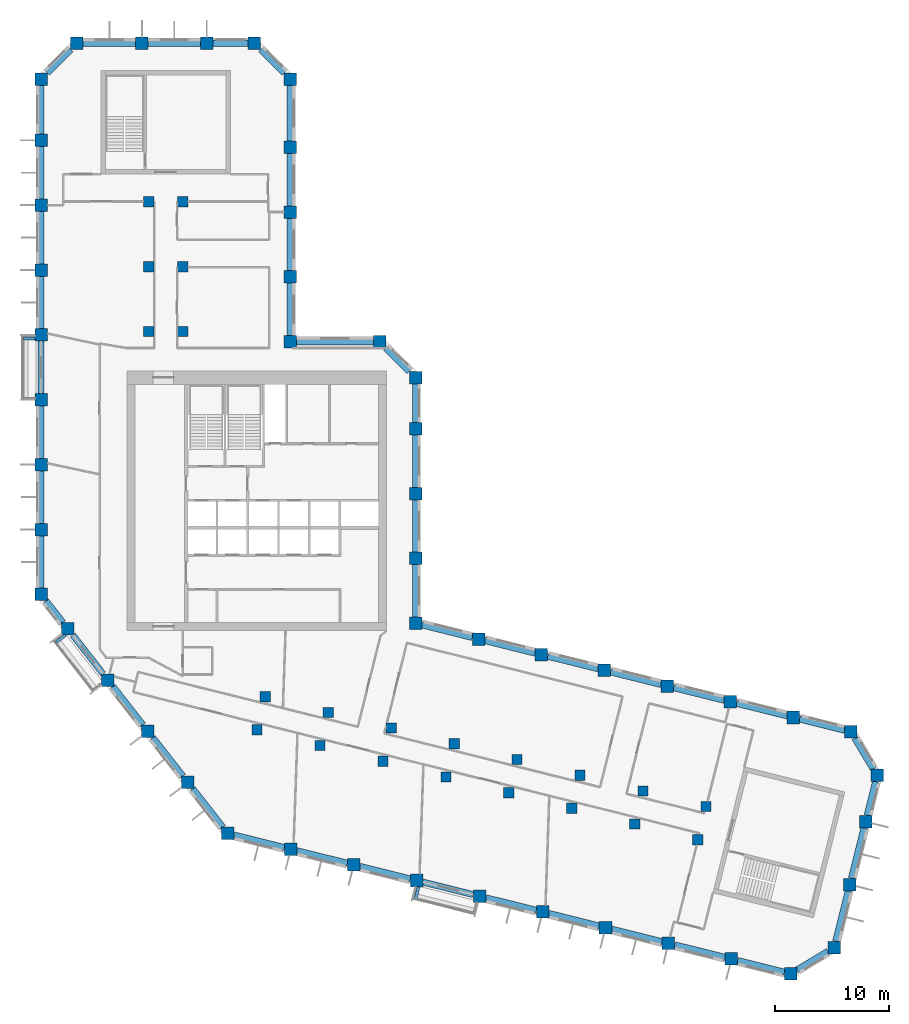
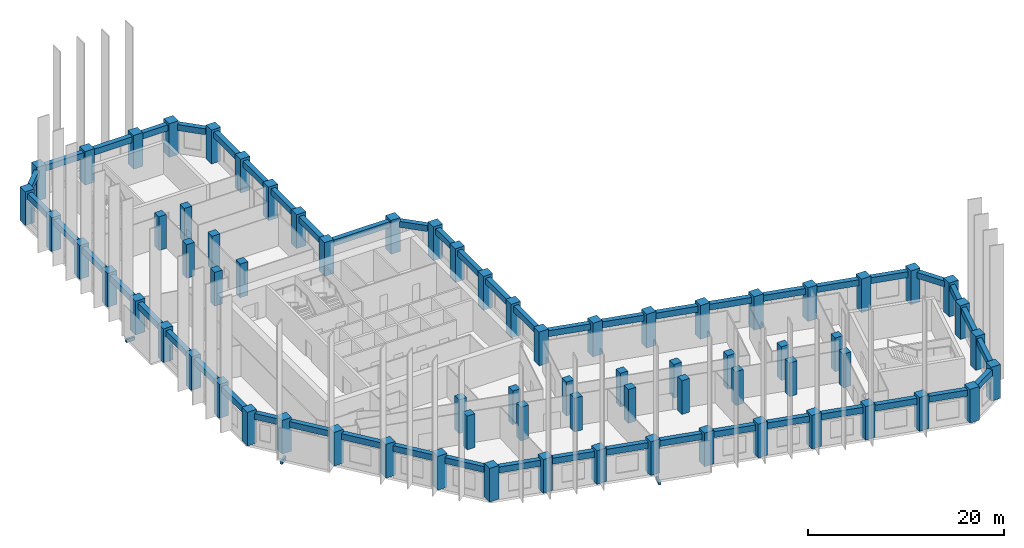
# One storey, part 1 of 10: 71 columns, 52 beams.
"""IFC4 building model written with IfcOpenShell, lengths in metres."""

from ifc_helpers import new_model, si_unit, direction, frame, origin, origin_2d, place, context, subcontext, project, spatial, rectangle, extrude, material, material_profile, profile_set, type_object, element, save


model = new_model("IFC4")

# Units and contexts
model_context = context("Model", 3, precision=1e-05, world=origin(), true_north=direction((0.0, 1.0)))
body_context = subcontext(model_context, "Body", "Model", "MODEL_VIEW")
ifc_project = project(units=[si_unit("LENGTHUNIT", "METRE"), si_unit("AREAUNIT", "SQUARE_METRE"), si_unit("VOLUMEUNIT", "CUBIC_METRE"), si_unit("PLANEANGLEUNIT", "RADIAN"), si_unit("MASSUNIT", "GRAM", prefix="KILO")], contexts=[model_context])

# Site, building, storey
site_placement = place(None, origin())
site = spatial("IfcSite", under=ifc_project, at=site_placement, CompositionType="ELEMENT")
building_placement = place(site_placement, origin())
building = spatial("IfcBuilding", under=site, at=building_placement, Name="Meshkara Civic Tower", CompositionType="ELEMENT")
storey_placement = place(building_placement, frame((0.0, 0.0, 259.199951171875)))
storey = spatial("IfcBuildingStorey", under=building, at=storey_placement, Name="L59", CompositionType="ELEMENT", Elevation=259.199951171875)

# Columns
ifc_material_1 = material(Name="Concrete C60", Category="concrete")
ifc_material_profile_1 = material_profile(ifc_material_1, rectangle(XDim=0.89990234375, YDim=0.89990234375, at=origin_2d()))
ifc_profile_set_1 = profile_set([ifc_material_profile_1], Name="Concrete C60")
column_type_1 = type_object("IfcColumnType", Name="Interior column RC 900x900 C60", PredefinedType="COLUMN", material=ifc_profile_set_1)
for number, where, z_axis, x_axis, name in (
    (1, (9.89990234375, 40.35009765625, 0.0), (0.0, 0.0, 1.0), (1.0, 0.0, 0.0), "Column SA1-04 L59"),
    (2, (9.89990234375, 46.050048828125, 0.0), (0.0, 0.0, 1.0), (1.0, 0.0, 0.0), "Column SA1-05 L59"),
    (3, (9.89990234375, 51.75, 0.0), (0.0, 0.0, 1.0), (1.0, 0.0, 0.0), "Column SA1-06 L59"),
    (4, (12.89990234375, 40.35009765625, 0.0), (0.0, 0.0, 1.0), (1.0, 0.0, 0.0), "Column SA2-04 L59"),
    (5, (12.89990234375, 46.050048828125, 0.0), (0.0, 0.0, 1.0), (1.0, 0.0, 0.0), "Column SA2-05 L59"),
    (6, (12.89990234375, 51.75, 0.0), (0.0, 0.0, 1.0), (1.0, 0.0, 0.0), "Column SA2-06 L59"),
    (7, (19.424072265625, 5.360107421875, 0.0), (0.0, 0.0, 1.0), (1.0, 0.0, 0.0), "Column SB1-00 L59"),
    (8, (24.9541015625, 3.98095703125, 0.0), (0.0, 0.0, 1.0), (1.0, 0.0, 0.0), "Column SB1-01 L59"),
    (9, (30.485107421875, 2.60205078125, 0.0), (0.0, 0.0, 1.0), (1.0, 0.0, 0.0), "Column SB1-02 L59"),
    (10, (36.01611328125, 1.222900390625, 0.0), (0.0, 0.0, 1.0), (1.0, 0.0, 0.0), "Column SB1-03 L59"),
    (11, (41.5458984375, -0.156005859375, 0.0), (0.0, 0.0, 1.0), (1.0, 0.0, 0.0), "Column SB1-04 L59"),
    (12, (47.076904296875, -1.534912109375, 0.0), (0.0, 0.0, 1.0), (1.0, 0.0, 0.0), "Column SB1-05 L59"),
    (13, (52.60791015625, -2.9140625, 0.0), (0.0, 0.0, 1.0), (1.0, 0.0, 0.0), "Column SB1-06 L59"),
    (14, (58.138916015625, -4.2919921875, 0.0), (0.0, 0.0, 1.0), (1.0, 0.0, 0.0), "Column SB1-07 L59"),
    (15, (20.14892578125, 8.27099609375, 0.0), (0.0, 0.0, 1.0), (1.0, 0.0, 0.0), "Column SB2-00 L59"),
    (16, (25.679931640625, 6.89208984375, 0.0), (0.0, 0.0, 1.0), (1.0, 0.0, 0.0), "Column SB2-01 L59"),
    (17, (31.2109375, 5.512939453125, 0.0), (0.0, 0.0, 1.0), (1.0, 0.0, 0.0), "Column SB2-02 L59"),
    (18, (36.741943359375, 4.134033203125, 0.0), (0.0, 0.0, 1.0), (1.0, 0.0, 0.0), "Column SB2-03 L59"),
    (19, (42.27197265625, 2.7548828125, 0.0), (0.0, 0.0, 1.0), (1.0, 0.0, 0.0), "Column SB2-04 L59"),
    (20, (47.802978515625, 1.3759765625, 0.0), (0.0, 0.0, 1.0), (1.0, 0.0, 0.0), "Column SB2-05 L59"),
    (21, (53.333984375, -0.0029296875, 0.0), (0.0, 0.0, 1.0), (1.0, 0.0, 0.0), "Column SB2-06 L59"),
    (22, (58.864013671875, -1.382080078125, 0.0), (0.0, 0.0, 1.0), (1.0, 0.0, 0.0), "Column SB2-07 L59"),
):
    element("IfcColumn", number, at=place(storey_placement, frame(where, z_axis=z_axis, x_axis=x_axis)), inside=storey, type_object=column_type_1, Name=name, PredefinedType="COLUMN", context=body_context, shape_type="SweptSolid", body=[
        extrude(rectangle(XDim=0.89990234375, YDim=0.89990234375, at=origin_2d()), origin(), (0.0, 0.0, 1.0), 4.199951171875),
    ])
ifc_material_2 = material(Name="Concrete C60", Category="concrete")
ifc_material_profile_2 = material_profile(ifc_material_2, rectangle(XDim=1.10009765625, YDim=1.10009765625, at=origin_2d()))
ifc_profile_set_2 = profile_set([ifc_material_profile_2], Name="Concrete C60")
column_type_2 = type_object("IfcColumnType", Name="Perimeter column RC 1100x1100 C60", PredefinedType="COLUMN", material=ifc_profile_set_2)
for number, where, z_axis, x_axis, name in (
    (23, (33.35009765625, 14.718994140625, 0.0), (0.0, 0.0, 1.0), (1.0, 0.0, 0.0), "Column HE00 L59"),
    (24, (33.35009765625, 20.4189453125, 0.0), (0.0, 0.0, 1.0), (1.0, 0.0, 0.0), "Column HE01 L59"),
    (25, (33.35009765625, 26.118896484375, 0.0), (0.0, 0.0, 1.0), (1.0, 0.0, 0.0), "Column HE02 L59"),
    (26, (33.35009765625, 31.819091796875, 0.0), (0.0, 0.0, 1.0), (1.0, 0.0, 0.0), "Column HE03 L59"),
    (27, (33.35009765625, 36.2939453125, 0.0), (0.0, 0.0, 1.0), (1.0, 0.0, 0.0), "Column HEE L59"),
    (28, (30.194091796875, 39.449951171875, 0.0), (0.0, 0.0, 1.0), (1.0, 0.0, 0.0), "Column HCeE L59"),
    (29, (22.35009765625, 39.449951171875, 0.0), (0.0, 0.0, 1.0), (1.0, 0.0, 0.0), "Column HN00 L59"),
    (30, (22.35009765625, 45.14990234375, 0.0), (0.0, 0.0, 1.0), (1.0, 0.0, 0.0), "Column AE01 L59"),
    (31, (22.35009765625, 50.85009765625, 0.0), (0.0, 0.0, 1.0), (1.0, 0.0, 0.0), "Column AE02 L59"),
    (32, (22.35009765625, 56.550048828125, 0.0), (0.0, 0.0, 1.0), (1.0, 0.0, 0.0), "Column AE03 L59"),
    (33, (22.35009765625, 62.513916015625, 0.0), (0.0, 0.0, 1.0), (1.0, 0.0, 0.0), "Column AEEP3 L59"),
    (34, (19.194091796875, 65.669921875, 0.0), (0.0, 0.0, 1.0), (1.0, 0.0, 0.0), "Column ATiEP3 L59"),
    (35, (3.60595703125, 65.669921875, 0.0), (0.0, 0.0, 1.0), (1.0, 0.0, 0.0), "Column AT00-P3 L59"),
    (36, (9.305908203125, 65.669921875, 0.0), (0.0, 0.0, 1.0), (1.0, 0.0, 0.0), "Column AT01-P3 L59"),
    (37, (15.006103515625, 65.669921875, 0.0), (0.0, 0.0, 1.0), (1.0, 0.0, 0.0), "Column AT02-P3 L59"),
    (38, (0.449951171875, 62.513916015625, 0.0), (0.0, 0.0, 1.0), (1.0, 0.0, 0.0), "Column ATo00-P3 L59"),
    (39, (0.449951171875, 17.2548828125, 0.0), (0.0, 0.0, 1.0), (1.0, 0.0, 0.0), "Column AW00 L59"),
    (40, (0.449951171875, 22.955078125, 0.0), (0.0, 0.0, 1.0), (1.0, 0.0, 0.0), "Column AW01 L59"),
    (41, (0.449951171875, 28.655029296875, 0.0), (0.0, 0.0, 1.0), (1.0, 0.0, 0.0), "Column AW02 L59"),
    (42, (0.449951171875, 34.35498046875, 0.0), (0.0, 0.0, 1.0), (1.0, 0.0, 0.0), "Column AW03 L59"),
    (43, (0.449951171875, 40.054931640625, 0.0), (0.0, 0.0, 1.0), (1.0, 0.0, 0.0), "Column AW04 L59"),
    (44, (0.449951171875, 45.7548828125, 0.0), (0.0, 0.0, 1.0), (1.0, 0.0, 0.0), "Column AW05 L59"),
    (45, (0.449951171875, 51.455078125, 0.0), (0.0, 0.0, 1.0), (1.0, 0.0, 0.0), "Column AW06 L59"),
    (46, (0.449951171875, 57.155029296875, 0.0), (0.0, 0.0, 1.0), (1.0, 0.0, 0.0), "Column AW07 L59"),
    (47, (16.85107421875, -3.738037109375, 0.0), (0.0, 0.0, 1.0), (1.0, 0.0, 0.0), "Column BOW00 L59"),
    (48, (13.342041015625, 0.75390625, 0.0), (0.0, 0.0, 1.0), (1.0, 0.0, 0.0), "Column BOW01 L59"),
    (49, (9.8330078125, 5.2451171875, 0.0), (0.0, 0.0, 1.0), (1.0, 0.0, 0.0), "Column BOW02 L59"),
    (50, (6.322998046875, 9.737060546875, 0.0), (0.0, 0.0, 1.0), (1.0, 0.0, 0.0), "Column BOW03 L59"),
    (51, (2.81396484375, 14.22900390625, 0.0), (0.0, 0.0, 1.0), (1.0, 0.0, 0.0), "Column BOW04 L59"),
    (52, (22.382080078125, -5.116943359375, 0.0), (0.0, 0.0, 1.0), (1.0, 0.0, 0.0), "Column BS01 L59"),
    (53, (27.912109375, -6.49609375, 0.0), (0.0, 0.0, 1.0), (1.0, 0.0, 0.0), "Column BS02 L59"),
    (54, (33.443115234375, -7.875, 0.0), (0.0, 0.0, 1.0), (1.0, 0.0, 0.0), "Column BS03 L59"),
    (55, (38.97412109375, -9.2529296875, 0.0), (0.0, 0.0, 1.0), (1.0, 0.0, 0.0), "Column BS04-P1 L59"),
    (56, (44.5048828125, -10.632080078125, 0.0), (0.0, 0.0, 1.0), (1.0, 0.0, 0.0), "Column BS05 L59"),
    (57, (50.034912109375, -12.010986328125, 0.0), (0.0, 0.0, 1.0), (1.0, 0.0, 0.0), "Column BS06 L59"),
    (58, (55.56591796875, -13.389892578125, 0.0), (0.0, 0.0, 1.0), (1.0, 0.0, 0.0), "Column BS07 L59"),
    (59, (61.096923828125, -14.76904296875, 0.0), (0.0, 0.0, 1.0), (1.0, 0.0, 0.0), "Column BS08 L59"),
    (60, (66.2958984375, -16.06494140625, 0.0), (0.0, 0.0, 1.0), (1.0, 0.0, 0.0), "Column BSEP3 L59"),
    (61, (70.1220703125, -13.76611328125, 0.0), (0.0, 0.0, 1.0), (1.0, 0.0, 0.0), "Column BToEP3 L59"),
    (62, (71.5009765625, -8.235107421875, 0.0), (0.0, 0.0, 1.0), (1.0, 0.0, 0.0), "Column BT01-P3 L59"),
    (63, (72.8798828125, -2.705078125, 0.0), (0.0, 0.0, 1.0), (1.0, 0.0, 0.0), "Column BT02-P3 L59"),
    (64, (73.89306640625, 1.35791015625, 0.0), (0.0, 0.0, 1.0), (1.0, 0.0, 0.0), "Column BTEP3 L59"),
    (65, (71.593994140625, 5.18310546875, 0.0), (0.0, 0.0, 1.0), (1.0, 0.0, 0.0), "Column BTi00-P3 L59"),
    (66, (38.881103515625, 13.340087890625, 0.0), (0.0, 0.0, 1.0), (1.0, 0.0, 0.0), "Column BN01 L59"),
    (67, (44.410888671875, 11.9609375, 0.0), (0.0, 0.0, 1.0), (1.0, 0.0, 0.0), "Column BN02 L59"),
    (68, (49.94189453125, 10.58203125, 0.0), (0.0, 0.0, 1.0), (1.0, 0.0, 0.0), "Column BN03 L59"),
    (69, (55.472900390625, 9.202880859375, 0.0), (0.0, 0.0, 1.0), (1.0, 0.0, 0.0), "Column BN04 L59"),
    (70, (61.0029296875, 7.823974609375, 0.0), (0.0, 0.0, 1.0), (1.0, 0.0, 0.0), "Column BN05 L59"),
    (71, (66.533935546875, 6.445068359375, 0.0), (0.0, 0.0, 1.0), (1.0, 0.0, 0.0), "Column BN06 L59"),
):
    element("IfcColumn", number, at=place(storey_placement, frame(where, z_axis=z_axis, x_axis=x_axis)), inside=storey, type_object=column_type_2, Name=name, PredefinedType="COLUMN", context=body_context, shape_type="SweptSolid", body=[
        extrude(rectangle(XDim=1.10009765625, YDim=1.10009765625, at=origin_2d()), origin(), (0.0, 0.0, 1.0), 4.199951171875),
    ])

# Beams
ifc_material_3 = material(Name="Concrete C50", Category="concrete")
ifc_material_profile_3 = material_profile(ifc_material_3, rectangle(XDim=0.25, YDim=0.39990234375, at=origin_2d()))
ifc_profile_set_3 = profile_set([ifc_material_profile_3], Name="Concrete C50")
beam_type_1 = type_object("IfcBeamType", Name="Balcony bracket beam RC 250x400 C50", PredefinedType="BEAM", material=ifc_profile_set_3)
beam_1_placement = place(storey_placement, frame((-0.094970703125, 39.7548828125, -0.5), z_axis=(-1.0, 0.0, 0.0), x_axis=(0.0, -1.0, 0.0)))
element("IfcBeam", 72, at=beam_1_placement, inside=storey, type_object=beam_type_1, Name="Balcony bracket beam", PredefinedType="BEAM", context=body_context, shape_type="SweptSolid", body=[
    extrude(rectangle(XDim=0.25, YDim=0.39990234375, at=origin_2d()), origin(), (0.0, 0.0, 1.0), 1.005126953125),
])
beam_2_placement = place(storey_placement, frame((2.60107421875, 13.681884765625, -0.5), z_axis=(-0.787992515281, -0.615684818606, 0.0), x_axis=(0.615684818606, -0.787992515281, 0.0)))
element("IfcBeam", 73, at=beam_2_placement, inside=storey, type_object=beam_type_1, Name="Balcony bracket beam", PredefinedType="BEAM", context=body_context, shape_type="SweptSolid", body=[
    extrude(rectangle(XDim=0.25, YDim=0.39990234375, at=origin_2d()), origin(), (0.0, 0.0, 1.0), 1.045654296875),
])
beam_3_placement = place(storey_placement, frame((33.615966796875, -8.419921875, -0.5), z_axis=(-0.241940897637, -0.970290988338, 0.0), x_axis=(0.970290988338, -0.241940897637, 0.0)))
element("IfcBeam", 74, at=beam_3_placement, inside=storey, type_object=beam_type_1, Name="Balcony bracket beam", PredefinedType="BEAM", context=body_context, shape_type="SweptSolid", body=[
    extrude(rectangle(XDim=0.25, YDim=0.39990234375, at=origin_2d()), origin(), (0.0, 0.0, 1.0), 1.0625),
])
ifc_material_4 = material(Name="Concrete C60", Category="concrete")
ifc_material_profile_4 = material_profile(ifc_material_4, rectangle(XDim=0.550048828125, YDim=0.75, at=origin_2d()))
ifc_profile_set_4 = profile_set([ifc_material_profile_4], Name="Concrete C60")
beam_type_2 = type_object("IfcBeamType", Name="Spandrel beam RC 550x750 C60", PredefinedType="BEAM", material=ifc_profile_set_4)
beam_4_placement = place(storey_placement, frame((65.989013671875, 6.580810546875, 3.525146484375), z_axis=(-0.970299186733, 0.241908016044, 0.0), x_axis=(-0.241908016044, -0.970299186733, 0.0)))
element("IfcBeam", 75, at=beam_4_placement, inside=storey, type_object=beam_type_2, Name="Spandrel beam BN05-BN06", PredefinedType="BEAM", context=body_context, shape_type="SweptSolid", body=[
    extrude(rectangle(XDim=0.550048828125, YDim=0.75, at=origin_2d()), origin(), (0.0, 0.0, 1.0), 4.576904296875),
])
beam_5_placement = place(storey_placement, frame((60.4580078125, 7.9599609375, 3.525146484375), z_axis=(-0.970286696562, 0.241958108925, 0.0), x_axis=(-0.241958108925, -0.970286696562, 0.0)))
element("IfcBeam", 76, at=beam_5_placement, inside=storey, type_object=beam_type_2, Name="Spandrel beam BN04-BN05", PredefinedType="BEAM", context=body_context, shape_type="SweptSolid", body=[
    extrude(rectangle(XDim=0.550048828125, YDim=0.75, at=origin_2d()), origin(), (0.0, 0.0, 1.0), 4.575927734375),
])
for number, where, z_axis, x_axis, name in (
    (77, (54.927978515625, 9.3388671875, 3.525146484375), (-0.970299186733, 0.241908016044, 0.0), (-0.241908016044, -0.970299186733, 0.0), "Spandrel beam BN03-BN04"),
    (78, (49.39697265625, 10.718017578125, 3.525146484375), (-0.970299186733, 0.241908016044, 0.0), (-0.241908016044, -0.970299186733, 0.0), "Spandrel beam BN02-BN03"),
):
    element("IfcBeam", number, at=place(storey_placement, frame(where, z_axis=z_axis, x_axis=x_axis)), inside=storey, type_object=beam_type_2, Name=name, PredefinedType="BEAM", context=body_context, shape_type="SweptSolid", body=[
        extrude(rectangle(XDim=0.550048828125, YDim=0.75, at=origin_2d()), origin(), (0.0, 0.0, 1.0), 4.576904296875),
    ])
beam_6_placement = place(storey_placement, frame((43.865966796875, 12.096923828125, 3.525146484375), z_axis=(-0.970286696562, 0.241958108925, 0.0), x_axis=(-0.241958108925, -0.970286696562, 0.0)))
element("IfcBeam", 79, at=beam_6_placement, inside=storey, type_object=beam_type_2, Name="Spandrel beam BN01-BN02", PredefinedType="BEAM", context=body_context, shape_type="SweptSolid", body=[
    extrude(rectangle(XDim=0.550048828125, YDim=0.75, at=origin_2d()), origin(), (0.0, 0.0, 1.0), 4.575927734375),
])
beam_7_placement = place(storey_placement, frame((38.3359375, 13.475830078125, 3.525146484375), z_axis=(-0.970299186733, 0.241908016044, 0.0), x_axis=(-0.241908016044, -0.970299186733, 0.0)))
element("IfcBeam", 80, at=beam_7_placement, inside=storey, type_object=beam_type_2, Name="Spandrel beam BN01-HE00", PredefinedType="BEAM", context=body_context, shape_type="SweptSolid", body=[
    extrude(rectangle(XDim=0.550048828125, YDim=0.75, at=origin_2d()), origin(), (0.0, 0.0, 1.0), 4.576904296875),
])
beam_8_placement = place(storey_placement, frame((33.35009765625, 15.263916015625, 3.525146484375), z_axis=(0.0, 1.0, 0.0), x_axis=(-1.0, 0.0, 0.0)))
element("IfcBeam", 81, at=beam_8_placement, inside=storey, type_object=beam_type_2, Name="Spandrel beam HE00-HE01", PredefinedType="BEAM", context=body_context, shape_type="SweptSolid", body=[
    extrude(rectangle(XDim=0.550048828125, YDim=0.75, at=origin_2d()), origin(), (0.0, 0.0, 1.0), 4.610107421875),
])
for number, where, z_axis, x_axis, name in (
    (82, (33.35009765625, 20.964111328125, 3.525146484375), (0.0, 1.0, 0.0), (-1.0, 0.0, 0.0), "Spandrel beam HE01-HE02"),
    (83, (33.35009765625, 26.6640625, 3.525146484375), (0.0, 1.0, 0.0), (-1.0, 0.0, 0.0), "Spandrel beam HE02-HE03"),
):
    element("IfcBeam", number, at=place(storey_placement, frame(where, z_axis=z_axis, x_axis=x_axis)), inside=storey, type_object=beam_type_2, Name=name, PredefinedType="BEAM", context=body_context, shape_type="SweptSolid", body=[
        extrude(rectangle(XDim=0.550048828125, YDim=0.75, at=origin_2d()), origin(), (0.0, 0.0, 1.0), 4.60986328125),
    ])
beam_9_placement = place(storey_placement, frame((33.35009765625, 32.364013671875, 3.525146484375), z_axis=(0.0, 1.0, 0.0), x_axis=(-1.0, 0.0, 0.0)))
element("IfcBeam", 84, at=beam_9_placement, inside=storey, type_object=beam_type_2, Name="Spandrel beam HE03-HEE", PredefinedType="BEAM", context=body_context, shape_type="SweptSolid", body=[
    extrude(rectangle(XDim=0.550048828125, YDim=0.75, at=origin_2d()), origin(), (0.0, 0.0, 1.0), 3.385009765625),
])
beam_10_placement = place(storey_placement, frame((32.803466796875, 36.840576171875, 3.525146484375), z_axis=(-0.707106781187, 0.707106781187, 0.0), x_axis=(-0.707106781187, -0.707106781187, 0.0)))
element("IfcBeam", 85, at=beam_10_placement, inside=storey, type_object=beam_type_2, Name="Spandrel beam HCeE-HEE", PredefinedType="BEAM", context=body_context, shape_type="SweptSolid", body=[
    extrude(rectangle(XDim=0.550048828125, YDim=0.75, at=origin_2d()), origin(), (0.0, 0.0, 1.0), 2.91748046875),
])
beam_11_placement = place(storey_placement, frame((29.64892578125, 39.449951171875, 3.525146484375), z_axis=(-1.0, 0.0, 0.0), x_axis=(0.0, -1.0, 0.0)))
element("IfcBeam", 86, at=beam_11_placement, inside=storey, type_object=beam_type_2, Name="Spandrel beam HCeE-HN00", PredefinedType="BEAM", context=body_context, shape_type="SweptSolid", body=[
    extrude(rectangle(XDim=0.550048828125, YDim=0.75, at=origin_2d()), origin(), (0.0, 0.0, 1.0), 6.75390625),
])
for number, where, z_axis, x_axis, name in (
    (87, (22.35009765625, 39.9951171875, 3.525146484375), (0.0, 1.0, 0.0), (-1.0, 0.0, 0.0), "Spandrel beam AE01-HN00"),
    (88, (22.35009765625, 45.695068359375, 3.525146484375), (0.0, 1.0, 0.0), (-1.0, 0.0, 0.0), "Spandrel beam AE01-AE02"),
    (89, (22.35009765625, 51.39501953125, 3.525146484375), (0.0, 1.0, 0.0), (-1.0, 0.0, 0.0), "Spandrel beam AE02-AE03"),
):
    element("IfcBeam", number, at=place(storey_placement, frame(where, z_axis=z_axis, x_axis=x_axis)), inside=storey, type_object=beam_type_2, Name=name, PredefinedType="BEAM", context=body_context, shape_type="SweptSolid", body=[
        extrude(rectangle(XDim=0.550048828125, YDim=0.75, at=origin_2d()), origin(), (0.0, 0.0, 1.0), 4.60986328125),
    ])
beam_12_placement = place(storey_placement, frame((22.35009765625, 57.094970703125, 3.525146484375), z_axis=(0.0, 1.0, 0.0), x_axis=(-1.0, 0.0, 0.0)))
element("IfcBeam", 90, at=beam_12_placement, inside=storey, type_object=beam_type_2, Name="Spandrel beam AE03-AEEP3", PredefinedType="BEAM", context=body_context, shape_type="SweptSolid", body=[
    extrude(rectangle(XDim=0.550048828125, YDim=0.75, at=origin_2d()), origin(), (0.0, 0.0, 1.0), 4.8740234375),
])
beam_13_placement = place(storey_placement, frame((21.803466796875, 63.060546875, 3.525146484375), z_axis=(-0.707106781187, 0.707106781187, 0.0), x_axis=(-0.707106781187, -0.707106781187, 0.0)))
element("IfcBeam", 91, at=beam_13_placement, inside=storey, type_object=beam_type_2, Name="Spandrel beam AEEP3-ATiEP3", PredefinedType="BEAM", context=body_context, shape_type="SweptSolid", body=[
    extrude(rectangle(XDim=0.550048828125, YDim=0.75, at=origin_2d()), origin(), (0.0, 0.0, 1.0), 2.91748046875),
])
beam_14_placement = place(storey_placement, frame((18.64892578125, 65.669921875, 3.525146484375), z_axis=(-1.0, 0.0, 0.0), x_axis=(0.0, -1.0, 0.0)))
element("IfcBeam", 92, at=beam_14_placement, inside=storey, type_object=beam_type_2, Name="Spandrel beam AT02-P3-ATiEP3", PredefinedType="BEAM", context=body_context, shape_type="SweptSolid", body=[
    extrude(rectangle(XDim=0.550048828125, YDim=0.75, at=origin_2d()), origin(), (0.0, 0.0, 1.0), 3.097900390625),
])
beam_15_placement = place(storey_placement, frame((14.4609375, 65.669921875, 3.525146484375), z_axis=(-1.0, 0.0, 0.0), x_axis=(0.0, -1.0, 0.0)))
element("IfcBeam", 93, at=beam_15_placement, inside=storey, type_object=beam_type_2, Name="Spandrel beam AT01-P3-AT02-P3", PredefinedType="BEAM", context=body_context, shape_type="SweptSolid", body=[
    extrude(rectangle(XDim=0.550048828125, YDim=0.75, at=origin_2d()), origin(), (0.0, 0.0, 1.0), 4.60986328125),
])
beam_16_placement = place(storey_placement, frame((8.760986328125, 65.669921875, 3.525146484375), z_axis=(-1.0, 0.0, 0.0), x_axis=(0.0, -1.0, 0.0)))
element("IfcBeam", 94, at=beam_16_placement, inside=storey, type_object=beam_type_2, Name="Spandrel beam AT00-P3-AT01-P3", PredefinedType="BEAM", context=body_context, shape_type="SweptSolid", body=[
    extrude(rectangle(XDim=0.550048828125, YDim=0.75, at=origin_2d()), origin(), (0.0, 0.0, 1.0), 4.610107421875),
])
beam_17_placement = place(storey_placement, frame((3.0595703125, 65.12353515625, 3.525146484375), z_axis=(-0.707106781187, -0.707106781187, 0.0), x_axis=(0.707106781187, -0.707106781187, 0.0)))
element("IfcBeam", 95, at=beam_17_placement, inside=storey, type_object=beam_type_2, Name="Spandrel beam AT00-P3-ATo00-P3", PredefinedType="BEAM", context=body_context, shape_type="SweptSolid", body=[
    extrude(rectangle(XDim=0.550048828125, YDim=0.75, at=origin_2d()), origin(), (0.0, 0.0, 1.0), 2.91748046875),
])
beam_18_placement = place(storey_placement, frame((0.449951171875, 61.968994140625, 3.525146484375), z_axis=(0.0, -1.0, 0.0), x_axis=(1.0, 0.0, 0.0)))
element("IfcBeam", 96, at=beam_18_placement, inside=storey, type_object=beam_type_2, Name="Spandrel beam ATo00-P3-AW07", PredefinedType="BEAM", context=body_context, shape_type="SweptSolid", body=[
    extrude(rectangle(XDim=0.550048828125, YDim=0.75, at=origin_2d()), origin(), (0.0, 0.0, 1.0), 4.26904296875),
])
beam_19_placement = place(storey_placement, frame((0.449951171875, 56.610107421875, 3.525146484375), z_axis=(0.0, -1.0, 0.0), x_axis=(1.0, 0.0, 0.0)))
element("IfcBeam", 97, at=beam_19_placement, inside=storey, type_object=beam_type_2, Name="Spandrel beam AW06-AW07", PredefinedType="BEAM", context=body_context, shape_type="SweptSolid", body=[
    extrude(rectangle(XDim=0.550048828125, YDim=0.75, at=origin_2d()), origin(), (0.0, 0.0, 1.0), 4.610107421875),
])
for number, where, z_axis, x_axis, name in (
    (98, (0.449951171875, 50.909912109375, 3.525146484375), (0.0, -1.0, 0.0), (1.0, 0.0, 0.0), "Spandrel beam AW05-AW06"),
    (99, (0.449951171875, 45.2099609375, 3.525146484375), (0.0, -1.0, 0.0), (1.0, 0.0, 0.0), "Spandrel beam AW04-AW05"),
):
    element("IfcBeam", number, at=place(storey_placement, frame(where, z_axis=z_axis, x_axis=x_axis)), inside=storey, type_object=beam_type_2, Name=name, PredefinedType="BEAM", context=body_context, shape_type="SweptSolid", body=[
        extrude(rectangle(XDim=0.550048828125, YDim=0.75, at=origin_2d()), origin(), (0.0, 0.0, 1.0), 4.60986328125),
    ])
for number, where, z_axis, x_axis, name in (
    (100, (0.449951171875, 39.510009765625, 3.525146484375), (0.0, -1.0, 0.0), (1.0, 0.0, 0.0), "Spandrel beam AW03-AW04"),
    (101, (0.449951171875, 33.81005859375, 3.525146484375), (0.0, -1.0, 0.0), (1.0, 0.0, 0.0), "Spandrel beam AW02-AW03"),
    (102, (0.449951171875, 28.110107421875, 3.525146484375), (0.0, -1.0, 0.0), (1.0, 0.0, 0.0), "Spandrel beam AW01-AW02"),
):
    element("IfcBeam", number, at=place(storey_placement, frame(where, z_axis=z_axis, x_axis=x_axis)), inside=storey, type_object=beam_type_2, Name=name, PredefinedType="BEAM", context=body_context, shape_type="SweptSolid", body=[
        extrude(rectangle(XDim=0.550048828125, YDim=0.75, at=origin_2d()), origin(), (0.0, 0.0, 1.0), 4.610107421875),
    ])
beam_20_placement = place(storey_placement, frame((0.449951171875, 22.409912109375, 3.525146484375), z_axis=(0.0, -1.0, 0.0), x_axis=(1.0, 0.0, 0.0)))
element("IfcBeam", 103, at=beam_20_placement, inside=storey, type_object=beam_type_2, Name="Spandrel beam AW00-AW01", PredefinedType="BEAM", context=body_context, shape_type="SweptSolid", body=[
    extrude(rectangle(XDim=0.550048828125, YDim=0.75, at=origin_2d()), origin(), (0.0, 0.0, 1.0), 4.60986328125),
])
beam_21_placement = place(storey_placement, frame((0.876708984375, 16.708984375, 3.525146484375), z_axis=(0.615626666257, -0.788037948194, 0.0), x_axis=(0.788037948194, 0.615626666257, 0.0)))
element("IfcBeam", 104, at=beam_21_placement, inside=storey, type_object=beam_type_2, Name="Spandrel beam AW00-BOW04", PredefinedType="BEAM", context=body_context, shape_type="SweptSolid", body=[
    extrude(rectangle(XDim=0.550048828125, YDim=0.75, at=origin_2d()), origin(), (0.0, 0.0, 1.0), 2.4541015625),
])
beam_22_placement = place(storey_placement, frame((3.240478515625, 13.682861328125, 3.525146484375), z_axis=(0.615647336498, -0.788021799865, 0.0), x_axis=(0.788021799865, 0.615647336498, 0.0)))
element("IfcBeam", 105, at=beam_22_placement, inside=storey, type_object=beam_type_2, Name="Spandrel beam BOW03-BOW04", PredefinedType="BEAM", context=body_context, shape_type="SweptSolid", body=[
    extrude(rectangle(XDim=0.550048828125, YDim=0.75, at=origin_2d()), origin(), (0.0, 0.0, 1.0), 4.314208984375),
])
beam_23_placement = place(storey_placement, frame((6.749755859375, 9.19091796875, 3.525146484375), z_axis=(0.615690159083, -0.787988342559, 0.0), x_axis=(0.787988342559, 0.615690159083, 0.0)))
element("IfcBeam", 106, at=beam_23_placement, inside=storey, type_object=beam_type_2, Name="Spandrel beam BOW02-BOW03", PredefinedType="BEAM", context=body_context, shape_type="SweptSolid", body=[
    extrude(rectangle(XDim=0.550048828125, YDim=0.75, at=origin_2d()), origin(), (0.0, 0.0, 1.0), 4.314697265625),
])
beam_24_placement = place(storey_placement, frame((10.259765625, 4.698974609375, 3.525146484375), z_axis=(0.615659419462, -0.788012359819, 0.0), x_axis=(0.788012359819, 0.615659419462, 0.0)))
element("IfcBeam", 107, at=beam_24_placement, inside=storey, type_object=beam_type_2, Name="Spandrel beam BOW01-BOW02", PredefinedType="BEAM", context=body_context, shape_type="SweptSolid", body=[
    extrude(rectangle(XDim=0.550048828125, YDim=0.75, at=origin_2d()), origin(), (0.0, 0.0, 1.0), 4.313232421875),
])
beam_25_placement = place(storey_placement, frame((13.7685546875, 0.2080078125, 3.525146484375), z_axis=(0.615584739249, -0.788070700384, 0.0), x_axis=(0.788070700384, 0.615584739249, 0.0)))
element("IfcBeam", 108, at=beam_25_placement, inside=storey, type_object=beam_type_2, Name="Spandrel beam BOW00-BOW01", PredefinedType="BEAM", context=body_context, shape_type="SweptSolid", body=[
    extrude(rectangle(XDim=0.550048828125, YDim=0.75, at=origin_2d()), origin(), (0.0, 0.0, 1.0), 4.314208984375),
])
beam_26_placement = place(storey_placement, frame((17.39599609375, -3.873779296875, 3.525146484375), z_axis=(0.970286664886, -0.24195823595, 0.0), x_axis=(0.24195823595, 0.970286664886, 0.0)))
element("IfcBeam", 109, at=beam_26_placement, inside=storey, type_object=beam_type_2, Name="Spandrel beam BOW00-BS01", PredefinedType="BEAM", context=body_context, shape_type="SweptSolid", body=[
    extrude(rectangle(XDim=0.550048828125, YDim=0.75, at=origin_2d()), origin(), (0.0, 0.0, 1.0), 4.576904296875),
])
beam_27_placement = place(storey_placement, frame((22.927001953125, -5.2529296875, 3.525146484375), z_axis=(0.970286696562, -0.241958108925, 0.0), x_axis=(0.241958108925, 0.970286696562, 0.0)))
element("IfcBeam", 110, at=beam_27_placement, inside=storey, type_object=beam_type_2, Name="Spandrel beam BS01-BS02", PredefinedType="BEAM", context=body_context, shape_type="SweptSolid", body=[
    extrude(rectangle(XDim=0.550048828125, YDim=0.75, at=origin_2d()), origin(), (0.0, 0.0, 1.0), 4.575927734375),
])
beam_28_placement = place(storey_placement, frame((28.45703125, -6.6318359375, 3.525146484375), z_axis=(0.970299186733, -0.241908016044, 0.0), x_axis=(0.241908016044, 0.970299186733, 0.0)))
element("IfcBeam", 111, at=beam_28_placement, inside=storey, type_object=beam_type_2, Name="Spandrel beam BS02-BS03", PredefinedType="BEAM", context=body_context, shape_type="SweptSolid", body=[
    extrude(rectangle(XDim=0.550048828125, YDim=0.75, at=origin_2d()), origin(), (0.0, 0.0, 1.0), 4.576904296875),
])
beam_29_placement = place(storey_placement, frame((33.988037109375, -8.0107421875, 3.525146484375), z_axis=(0.970336738613, -0.241757344662, 0.0), x_axis=(0.241757344662, 0.970336738613, 0.0)))
element("IfcBeam", 112, at=beam_29_placement, inside=storey, type_object=beam_type_2, Name="Spandrel beam BS03-BS04-P1", PredefinedType="BEAM", context=body_context, shape_type="SweptSolid", body=[
    extrude(rectangle(XDim=0.550048828125, YDim=0.75, at=origin_2d()), origin(), (0.0, 0.0, 1.0), 4.57666015625),
])
beam_30_placement = place(storey_placement, frame((39.51904296875, -9.388916015625, 3.525146484375), z_axis=(0.970299186733, -0.241908016044, 0.0), x_axis=(0.241908016044, 0.970299186733, 0.0)))
element("IfcBeam", 113, at=beam_30_placement, inside=storey, type_object=beam_type_2, Name="Spandrel beam BS04-P1-BS05", PredefinedType="BEAM", context=body_context, shape_type="SweptSolid", body=[
    extrude(rectangle(XDim=0.550048828125, YDim=0.75, at=origin_2d()), origin(), (0.0, 0.0, 1.0), 4.576904296875),
])
beam_31_placement = place(storey_placement, frame((45.050048828125, -10.767822265625, 3.525146484375), z_axis=(0.970286696562, -0.241958108925, 0.0), x_axis=(0.241958108925, 0.970286696562, 0.0)))
element("IfcBeam", 114, at=beam_31_placement, inside=storey, type_object=beam_type_2, Name="Spandrel beam BS05-BS06", PredefinedType="BEAM", context=body_context, shape_type="SweptSolid", body=[
    extrude(rectangle(XDim=0.550048828125, YDim=0.75, at=origin_2d()), origin(), (0.0, 0.0, 1.0), 4.575927734375),
])
for number, where, z_axis, x_axis, name in (
    (115, (50.580078125, -12.14697265625, 3.525146484375), (0.970299186733, -0.241908016044, 0.0), (0.241908016044, 0.970299186733, 0.0), "Spandrel beam BS06-BS07"),
    (116, (56.111083984375, -13.52587890625, 3.525146484375), (0.970299186733, -0.241908016044, 0.0), (0.241908016044, 0.970299186733, 0.0), "Spandrel beam BS07-BS08"),
):
    element("IfcBeam", number, at=place(storey_placement, frame(where, z_axis=z_axis, x_axis=x_axis)), inside=storey, type_object=beam_type_2, Name=name, PredefinedType="BEAM", context=body_context, shape_type="SweptSolid", body=[
        extrude(rectangle(XDim=0.550048828125, YDim=0.75, at=origin_2d()), origin(), (0.0, 0.0, 1.0), 4.576904296875),
    ])
beam_32_placement = place(storey_placement, frame((61.64208984375, -14.90478515625, 3.525146484375), z_axis=(0.970298301424, -0.24191156701, 0.0), x_axis=(0.24191156701, 0.970298301424, 0.0)))
element("IfcBeam", 117, at=beam_32_placement, inside=storey, type_object=beam_type_2, Name="Spandrel beam BS08-BSEP3", PredefinedType="BEAM", context=body_context, shape_type="SweptSolid", body=[
    extrude(rectangle(XDim=0.550048828125, YDim=0.75, at=origin_2d()), origin(), (0.0, 0.0, 1.0), 4.234619140625),
])
beam_33_placement = place(storey_placement, frame((66.841796875, -15.737060546875, 3.525146484375), z_axis=(0.857175401914, 0.51502459199, 0.0), x_axis=(-0.51502459199, 0.857175401914, 0.0)))
element("IfcBeam", 118, at=beam_33_placement, inside=storey, type_object=beam_type_2, Name="Spandrel beam BSEP3-BToEP3", PredefinedType="BEAM", context=body_context, shape_type="SweptSolid", body=[
    extrude(rectangle(XDim=0.550048828125, YDim=0.75, at=origin_2d()), origin(), (0.0, 0.0, 1.0), 3.190185546875),
])
beam_34_placement = place(storey_placement, frame((70.2578125, -13.220947265625, 3.525146484375), z_axis=(0.241908016044, 0.970299186733, 0.0), x_axis=(-0.970299186733, 0.241908016044, 0.0)))
element("IfcBeam", 119, at=beam_34_placement, inside=storey, type_object=beam_type_2, Name="Spandrel beam BT01-P3-BToEP3", PredefinedType="BEAM", context=body_context, shape_type="SweptSolid", body=[
    extrude(rectangle(XDim=0.550048828125, YDim=0.75, at=origin_2d()), origin(), (0.0, 0.0, 1.0), 4.576904296875),
])
beam_35_placement = place(storey_placement, frame((71.636962890625, -7.68994140625, 3.525146484375), z_axis=(0.241958108925, 0.970286696562, 0.0), x_axis=(-0.970286696562, 0.241958108925, 0.0)))
element("IfcBeam", 120, at=beam_35_placement, inside=storey, type_object=beam_type_2, Name="Spandrel beam BT01-P3-BT02-P3", PredefinedType="BEAM", context=body_context, shape_type="SweptSolid", body=[
    extrude(rectangle(XDim=0.550048828125, YDim=0.75, at=origin_2d()), origin(), (0.0, 0.0, 1.0), 4.575927734375),
])
beam_36_placement = place(storey_placement, frame((73.015869140625, -2.159912109375, 3.525146484375), z_axis=(0.24191686251, 0.970296981152, 0.0), x_axis=(-0.970296981152, 0.24191686251, 0.0)))
element("IfcBeam", 121, at=beam_36_placement, inside=storey, type_object=beam_type_2, Name="Spandrel beam BT02-P3-BTEP3", PredefinedType="BEAM", context=body_context, shape_type="SweptSolid", body=[
    extrude(rectangle(XDim=0.550048828125, YDim=0.75, at=origin_2d()), origin(), (0.0, 0.0, 1.0), 3.06396484375),
])
beam_37_placement = place(storey_placement, frame((73.56494140625, 1.90380859375, 3.525146484375), z_axis=(-0.515137320802, 0.857107659934, 0.0), x_axis=(-0.857107659934, -0.515137320802, 0.0)))
element("IfcBeam", 122, at=beam_37_placement, inside=storey, type_object=beam_type_2, Name="Spandrel beam BTEP3-BTi00-P3", PredefinedType="BEAM", context=body_context, shape_type="SweptSolid", body=[
    extrude(rectangle(XDim=0.550048828125, YDim=0.75, at=origin_2d()), origin(), (0.0, 0.0, 1.0), 3.189208984375),
])
beam_38_placement = place(storey_placement, frame((71.048828125, 5.319091796875, 3.525146484375), z_axis=(-0.970282744603, 0.241973956296, 0.0), x_axis=(-0.241973956296, -0.970282744603, 0.0)))
element("IfcBeam", 123, at=beam_38_placement, inside=storey, type_object=beam_type_2, Name="Spandrel beam BN06-BTi00-P3", PredefinedType="BEAM", context=body_context, shape_type="SweptSolid", body=[
    extrude(rectangle(XDim=0.550048828125, YDim=0.75, at=origin_2d()), origin(), (0.0, 0.0, 1.0), 4.09130859375),
])

save(model, "model.ifc")
